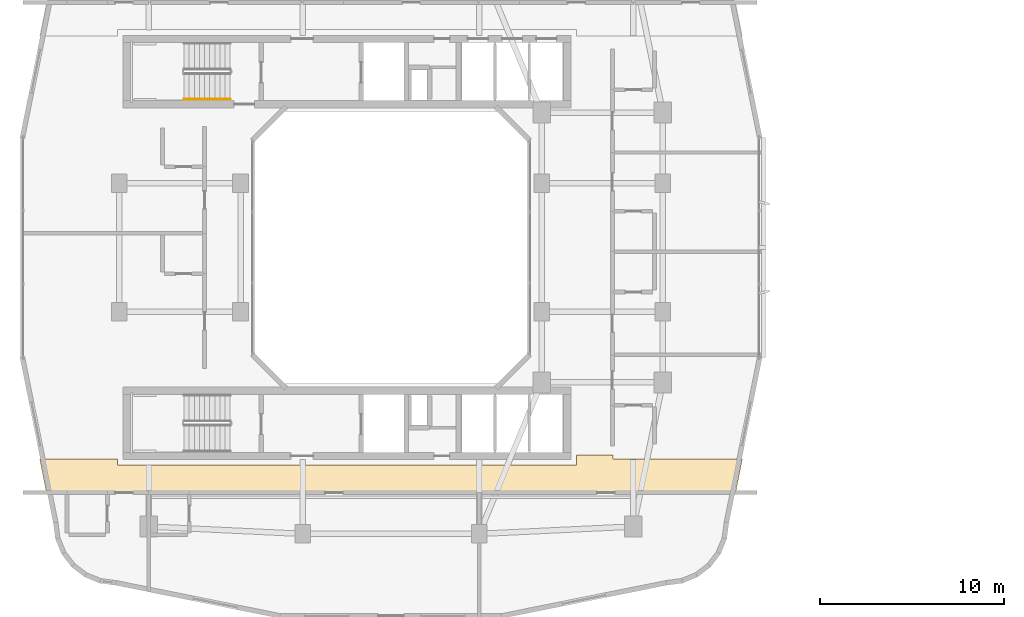
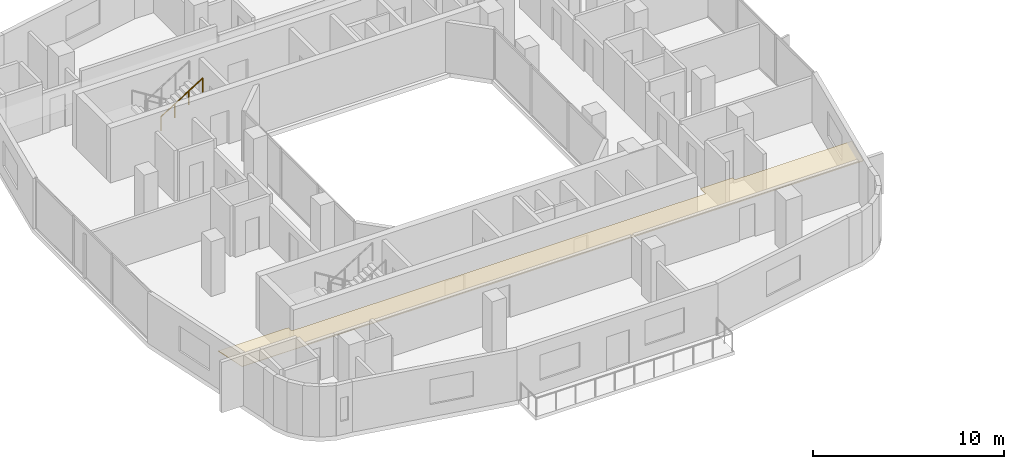
# One storey, part 23 of 26: 1 covering, 1 railing.
"""IFC4 building model written with IfcOpenShell, lengths in metres."""

from ifc_helpers import new_model, si_unit, derived_unit, direction, frame, origin, origin_2d, place, context, subcontext, project, spatial, polyline, circle, outline, extrude, material, layer, layer_set, type_object, element, save


model = new_model("IFC4")

# Units and contexts
model_context = context("Model", 3, precision=1e-05, world=origin(), true_north=direction((0.0, 1.0)))
body_context = subcontext(model_context, "Body", "Model", "MODEL_VIEW")
ifc_project = project(units=[si_unit("LENGTHUNIT", "METRE"), si_unit("AREAUNIT", "SQUARE_METRE"), si_unit("VOLUMEUNIT", "CUBIC_METRE"), si_unit("PLANEANGLEUNIT", "RADIAN"), si_unit("MASSUNIT", "GRAM", prefix="KILO"), derived_unit("THERMALTRANSMITTANCEUNIT", [(si_unit("POWERUNIT", "WATT"), 1), (si_unit("LENGTHUNIT", "METRE"), -2), (si_unit("THERMODYNAMICTEMPERATUREUNIT", "KELVIN"), -1)])], contexts=[model_context])

# Site, building, storey
site_placement = place(None, origin())
site = spatial("IfcSite", under=ifc_project, at=site_placement, CompositionType="ELEMENT")
building_placement = place(site_placement, origin())
building = spatial("IfcBuilding", under=site, at=building_placement, Name="Kivonza Crest Hotel", CompositionType="ELEMENT")
storey_placement = place(building_placement, frame((0.0, 0.0, 95.0)))
storey = spatial("IfcBuildingStorey", under=building, at=storey_placement, Name="L25", CompositionType="ELEMENT", Elevation=95.0)

# Covering
ifc_material_1 = material(Name="Mineral-fibre acoustic ceiling tile", Category="gypsum")
ifc_layer = layer(ifc_material_1, 0.02490234375)
ifc_layer_set = layer_set([ifc_layer], Name="Mineral-fibre acoustic ceiling tile")
covering_type = type_object("IfcCoveringType", Name="CV-CEIL-ACOU", PredefinedType="CEILING", material=ifc_layer_set)
covering_placement = place(storey_placement, frame((0.0, 0.0, 2.449951171875)))
element("IfcCovering", 1, at=covering_placement, inside=storey, type_object=covering_type, Name="L25 Hotel South Guest Corridor suspended ceiling", PredefinedType="CEILING", context=body_context, shape_type="SweptSolid", body=[
    extrude(outline(polyline([(33.090087890625, 13.47998046875), (33.090087890625, 13.68994140625), (31.10009765625, 13.68994140625), (31.10009765625, 13.139892578125), (6.10009765625, 13.139892578125), (6.10009765625, 13.47998046875), (1.85791015625, 13.47998046875), (2.235107421875, 11.610107421875), (39.764892578125, 11.610107421875), (40.14208984375, 13.47998046875), (33.090087890625, 13.47998046875)])), origin(), (0.0, 0.0, 1.0), 0.025146484375),
])

# Railing
ifc_material_2 = material(Name="Brushed stainless steel handrail", Category="steel")
railing_type = type_object("IfcRailingType", Name="RL-HAND-900", PredefinedType="HANDRAIL", material=ifc_material_2)
railing_placement = place(storey_placement, frame((9.719970703125, 33.070068359375, 1.925048828125)))
element("IfcRailing", 2, at=railing_placement, inside=storey, type_object=railing_type, Name="L25 ST-T1-N stair handrail 2", PredefinedType="HANDRAIL", context=body_context, shape_type="SweptSolid", body=[
    extrude(circle(Radius=0.02392578125, at=origin_2d()), frame((0.0, 0.0, 0.8759765625), z_axis=(0.848007534815, 0.0, 0.529984170421), x_axis=(0.0, 1.0, 0.0)), (0.0, 0.0, 1.0), 2.9716796875),
    extrude(circle(Radius=0.02099609375, at=origin_2d()), origin(), (0.0, 0.0, 1.0), 0.851806640625),
    extrude(circle(Radius=0.02099609375, at=origin_2d()), frame((0.840087890625, 0.0, 0.52490234375)), (0.0, 0.0, 1.0), 0.851806640625),
    extrude(circle(Radius=0.02099609375, at=origin_2d()), frame((1.679931640625, 0.0, 1.050048828125)), (0.0, 0.0, 1.0), 0.851806640625),
    extrude(circle(Radius=0.02099609375, at=origin_2d()), frame((2.52001953125, 0.0, 1.574951171875)), (0.0, 0.0, 1.0), 0.851806640625),
])

save(model, "model.ifc")
